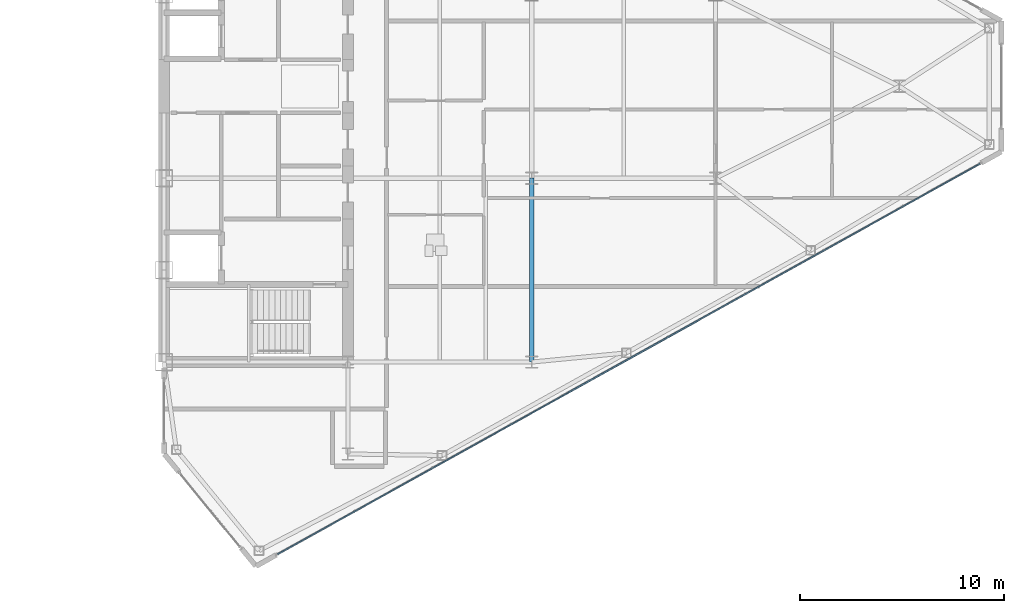
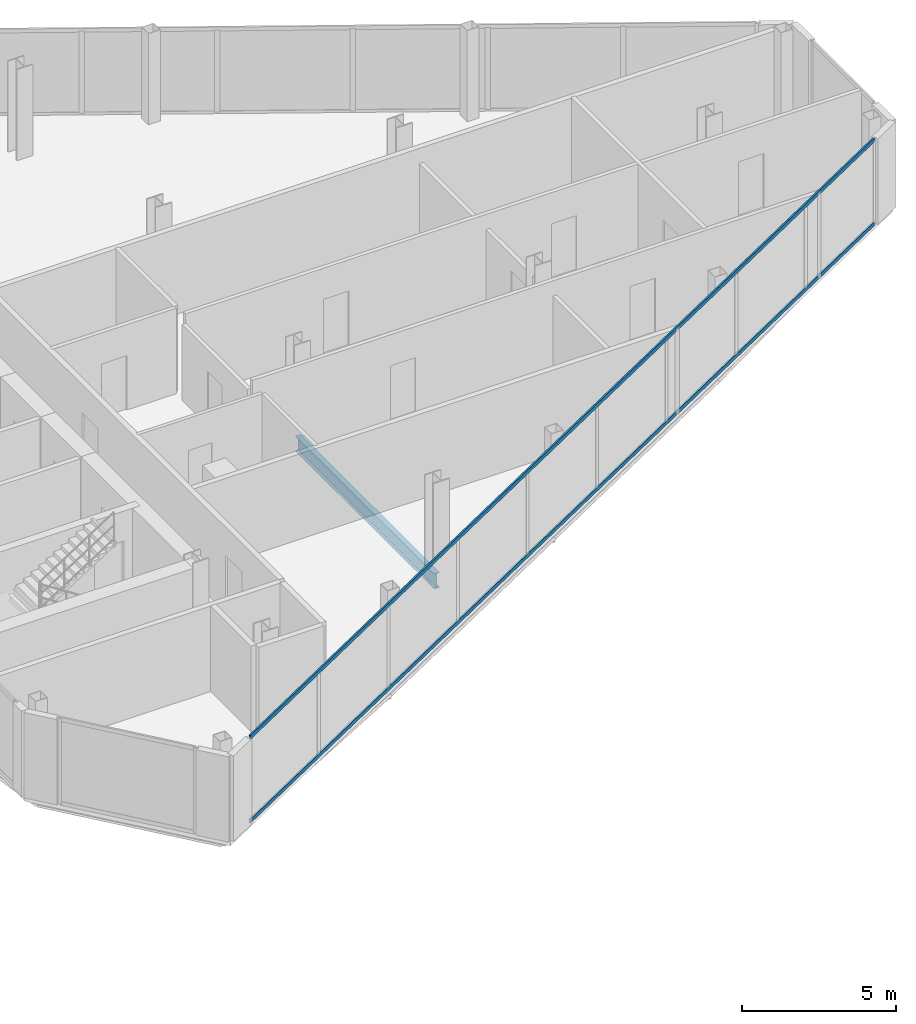
# One storey, part 12 of 26: 2 members, 1 beam, 1 element without a shape of its own.
"""IFC4 building model written with IfcOpenShell, lengths in metres."""

import ifcopenshell
import ifcopenshell.guid

model = None  # the IFC model being written
_history = None  # IfcOwnerHistory: only IFC2X3 demands one
_inside = {}  # id of a spatial element -> (the spatial element, [elements in it])
_under = {}  # id of a project, library or spatial element -> (it, [spatial elements below it])
_declared = {}  # id of a project -> (the project, [libraries it declares])
_typed = {}  # id of a type object -> (the type object, [elements of that type])
_made_of = {}  # id of a material, layer set ... -> (it, [elements and type objects made of it])


def new_model(schema):
    """Start an empty IFC model of exactly this schema.

    Asked for "IFC4X3", IfcOpenShell would pick the latest addendum, in which some entities
    have other attributes; the version numbers below select the first issue.
    IFC2X3 requires an IfcOwnerHistory on every rooted entity: one is made here for all.
    """
    global model, _history
    if schema == "IFC4X3":
        model = ifcopenshell.file(schema_version=(4, 3, 0, 0))
    else:
        model = ifcopenshell.file(schema=schema)
    _inside.clear()
    _under.clear()
    _declared.clear()
    _typed.clear()
    _made_of.clear()
    _history = None
    if model.schema == "IFC2X3":
        org = make("IfcOrganization", Name="unknown")
        user = make(
            "IfcPersonAndOrganization",
            ThePerson=make("IfcPerson", FamilyName="unknown"),
            TheOrganization=org,
        )
        app = make(
            "IfcApplication",
            ApplicationDeveloper=org,
            Version="unknown",
            ApplicationFullName="unknown",
            ApplicationIdentifier="unknown",
        )
        _history = make(
            "IfcOwnerHistory",
            OwningUser=user,
            OwningApplication=app,
            ChangeAction="ADDED",
            CreationDate=0,
        )
    return model


def make(cls, **values):
    """One entity of the class cls with the attributes given. An attribute that is None is left unset."""
    return model.create_entity(
        cls, **{name: value for name, value in values.items() if value is not None}
    )


def rooted(cls, **values):
    """An entity with a GlobalId (a new one), such as an element, a storey or a relation."""
    return make(cls, GlobalId=ifcopenshell.guid.new(), OwnerHistory=_history, **values)


def si_unit(unit_type, name, prefix=None):
    """IfcSIUnit, for example si_unit("LENGTHUNIT", "METRE", prefix="MILLI")."""
    return make("IfcSIUnit", UnitType=unit_type, Prefix=prefix, Name=name)


def assignment(units):
    """IfcUnitAssignment: the units of a project."""
    return None if units is None else make("IfcUnitAssignment", Units=units)


def point(xyz):
    """IfcCartesianPoint."""
    return None if xyz is None else make("IfcCartesianPoint", Coordinates=xyz)


def direction(xyz):
    """IfcDirection."""
    return None if xyz is None else make("IfcDirection", DirectionRatios=xyz)


def frame(location, z_axis=None, x_axis=None):
    """IfcAxis2Placement3D, a coordinate frame: its origin and axes. An axis left out is left unset."""
    return make(
        "IfcAxis2Placement3D",
        Location=point(location),
        Axis=direction(z_axis),
        RefDirection=direction(x_axis),
    )


def frame_2d(location, x_axis=None):
    """IfcAxis2Placement2D, a coordinate frame in the plane: its origin and x axis."""
    return make(
        "IfcAxis2Placement2D", Location=point(location), RefDirection=direction(x_axis)
    )


def origin():
    """The frame at (0, 0, 0) with its axes left unset."""
    return frame((0.0, 0.0, 0.0))


def origin_2d():
    """The frame at (0, 0) in the plane with its x axis left unset."""
    return frame_2d((0.0, 0.0))


def place(relative_to, where):
    """IfcLocalPlacement: puts the frame where relative to a parent placement (None: the world)."""
    return make(
        "IfcLocalPlacement", PlacementRelTo=relative_to, RelativePlacement=where
    )


def context(
    kind, dimensions, precision=None, world=None, true_north=None, identifier=None
):
    """IfcGeometricRepresentationContext, for example the 3D "Model" context."""
    return make(
        "IfcGeometricRepresentationContext",
        ContextIdentifier=identifier,
        ContextType=kind,
        CoordinateSpaceDimension=dimensions,
        Precision=precision,
        WorldCoordinateSystem=world,
        TrueNorth=true_north,
    )


def subcontext(parent, identifier, kind, view, scale=None):
    """IfcGeometricRepresentationSubContext, for example "Body" below "Model"."""
    return make(
        "IfcGeometricRepresentationSubContext",
        ContextIdentifier=identifier,
        ContextType=kind,
        ParentContext=parent,
        TargetScale=scale,
        TargetView=view,
    )


def project(units=None, contexts=None):
    """IfcProject with its units and contexts."""
    return rooted(
        "IfcProject",
        Name="project",
        RepresentationContexts=contexts,
        UnitsInContext=assignment(units),
    )


def spatial(cls, under=None, at=None, **own):
    """A site, building, storey or space (cls), placed at a placement, below another one or the project."""
    s = rooted(cls, ObjectPlacement=at, **own)
    if under is not None:
        _under.setdefault(under.id(), (under, []))[1].append(s)
    return s


def profile(cls, at=None, kind="AREA", **sizes):
    """A parametric profile (cls). Its sizes go by their IFC names, for example OverallWidth=200.0."""
    return make(cls, ProfileType=kind, Position=at, **sizes)


def rectangle(**sizes):
    """IfcRectangleProfileDef."""
    return profile("IfcRectangleProfileDef", **sizes)


def i_section(**sizes):
    """IfcIShapeProfileDef."""
    return profile("IfcIShapeProfileDef", **sizes)


def extrude(swept, where, along, depth):
    """IfcExtrudedAreaSolid: the profile swept, set in the frame where, extruded along a direction by depth."""
    return make(
        "IfcExtrudedAreaSolid",
        SweptArea=swept,
        Position=where,
        ExtrudedDirection=direction(along),
        Depth=depth,
    )


def shape(context_of_items, identifier, shape_type, items):
    """IfcShapeRepresentation: the items that make up one representation, for example the "Body"."""
    return make(
        "IfcShapeRepresentation",
        ContextOfItems=context_of_items,
        RepresentationIdentifier=identifier,
        RepresentationType=shape_type,
        Items=items,
    )


def source(mapping_origin, context_of_items, identifier, shape_type, items):
    """IfcRepresentationMap: a shape defined once, which mapped items show again and again."""
    return make(
        "IfcRepresentationMap",
        MappingOrigin=mapping_origin,
        MappedRepresentation=shape(context_of_items, identifier, shape_type, items),
    )


def transform(
    local_origin,
    x_axis=None,
    y_axis=None,
    z_axis=None,
    scale=None,
    scale2=None,
    scale3=None,
    uniform=True,
):
    """IfcCartesianTransformationOperator3D, or its non-uniform kind. x_axis, y_axis, z_axis: its Axis1, 2, 3."""
    if uniform:
        return make(
            "IfcCartesianTransformationOperator3D",
            Axis1=direction(x_axis),
            Axis2=direction(y_axis),
            LocalOrigin=point(local_origin),
            Scale=scale,
            Axis3=direction(z_axis),
        )
    return make(
        "IfcCartesianTransformationOperator3DnonUniform",
        Axis1=direction(x_axis),
        Axis2=direction(y_axis),
        LocalOrigin=point(local_origin),
        Scale=scale,
        Axis3=direction(z_axis),
        Scale2=scale2,
        Scale3=scale3,
    )


def mapped(mapping_source, mapping_target):
    """IfcMappedItem: shows the shape of a source again, moved by a transform."""
    return make(
        "IfcMappedItem", MappingSource=mapping_source, MappingTarget=mapping_target
    )


def material(Name=None, Category=None):
    """IfcMaterial."""
    return make("IfcMaterial", Name=Name, Category=Category)


def layer(
    of_material, thickness, ventilated=None, Name=None, Category=None, Priority=None
):
    """IfcMaterialLayer: one layer of a wall or slab, of a material (None: an air gap)."""
    return make(
        "IfcMaterialLayer",
        Material=of_material,
        LayerThickness=thickness,
        IsVentilated=ventilated,
        Name=Name,
        Category=Category,
        Priority=Priority,
    )


def layer_set(layers, Name=None):
    """IfcMaterialLayerSet."""
    return make("IfcMaterialLayerSet", MaterialLayers=layers, LayerSetName=Name)


def material_profile(
    of_material, cross_section, Name=None, Category=None, Priority=None
):
    """IfcMaterialProfile: a cross section and its material."""
    return make(
        "IfcMaterialProfile",
        Name=Name,
        Material=of_material,
        Profile=cross_section,
        Priority=Priority,
        Category=Category,
    )


def profile_set(profiles, Name=None, composite=None):
    """IfcMaterialProfileSet."""
    return make(
        "IfcMaterialProfileSet",
        Name=Name,
        MaterialProfiles=profiles,
        CompositeProfile=composite,
    )


def made_of(thing, what):
    """Note that an element or type object is made of a material, layer set ...; save() writes the relation."""
    if what is not None:
        _made_of.setdefault(what.id(), (what, []))[1].append(thing)
    return thing


def type_object(cls, material=None, **own):
    """A type object (cls), such as IfcWallType, which elements share."""
    return made_of(rooted(cls, **own), material)


def type_shapes(of_type, sources):
    """Give a type object the sources (RepresentationMaps) that its elements show as mapped items."""
    of_type.RepresentationMaps = sources


def element(
    cls,
    number,
    at=None,
    inside=None,
    cuts=None,
    type_object=None,
    material=None,
    context=None,
    identifier="Body",
    shape_type=None,
    held_by="IfcProductDefinitionShape",
    body=None,
    shapes=None,
    **own,
):
    """One element of the class cls, such as IfcWall. Its Tag is "e" and its number.

    at: its placement. inside: the storey or other place that contains it. cuts: it is an
    opening in that element (IfcRelVoidsElement). A single representation is given by context,
    identifier, shape_type and body (its items); several are given by shapes. held_by: the class
    of the entity that holds the representations. save() writes the other relations.
    """
    e = rooted(cls, Tag="e%d" % number, ObjectPlacement=at, **own)
    if body is not None:
        shapes = [shape(context, identifier, shape_type, body)]
    if shapes is not None:
        e.Representation = make(held_by, Representations=shapes)
    if inside is not None:
        _inside.setdefault(inside.id(), (inside, []))[1].append(e)
    if cuts is not None:
        rooted(
            "IfcRelVoidsElement", RelatingBuildingElement=cuts, RelatedOpeningElement=e
        )
    if type_object is not None:
        _typed.setdefault(type_object.id(), (type_object, []))[1].append(e)
    return made_of(e, material)


def aggregate(whole, parts):
    """IfcRelAggregates: a whole, such as a stair, and the parts it consists of."""
    return rooted("IfcRelAggregates", RelatingObject=whole, RelatedObjects=parts)


def save(model, path):
    """Write the relations noted so far, then the file.

    IfcRelAggregates (storeys below a building ...), IfcRelContainedInSpatialStructure (elements
    in a storey), IfcRelDefinesByType, IfcRelAssociatesMaterial and IfcRelDeclares: one each for
    every whole, place, type object, material and project.
    """
    for whole, parts in _under.values():
        aggregate(whole, parts)
    for where, things in _inside.values():
        rooted(
            "IfcRelContainedInSpatialStructure",
            RelatedElements=things,
            RelatingStructure=where,
        )
    for kind, things in _typed.values():
        rooted("IfcRelDefinesByType", RelatedObjects=things, RelatingType=kind)
    for what, things in _made_of.values():
        rooted("IfcRelAssociatesMaterial", RelatedObjects=things, RelatingMaterial=what)
    for by, libraries in _declared.values():
        rooted("IfcRelDeclares", RelatingContext=by, RelatedDefinitions=libraries)
    model.write(path)


model = new_model("IFC4")

# Units and contexts
model_context = context("Model", 3, precision=1e-05, world=origin(), true_north=direction((0.0, 1.0)))
body_context = subcontext(model_context, "Body", "Model", "MODEL_VIEW")
ifc_project = project(units=[si_unit("LENGTHUNIT", "METRE"), si_unit("AREAUNIT", "SQUARE_METRE"), si_unit("VOLUMEUNIT", "CUBIC_METRE"), si_unit("PLANEANGLEUNIT", "RADIAN"), si_unit("MASSUNIT", "GRAM", prefix="KILO")], contexts=[model_context])

# Site, building, storey
site_placement = place(None, origin())
site = spatial("IfcSite", under=ifc_project, at=site_placement, CompositionType="ELEMENT")
building_placement = place(site_placement, origin())
building = spatial("IfcBuilding", under=site, at=building_placement, Name="Seokmaru Belvedere", CompositionType="ELEMENT")
storey_placement = place(building_placement, frame((0.0, 0.0, 192.300048828125)))
storey = spatial("IfcBuildingStorey", under=building, at=storey_placement, Name="L51", CompositionType="ELEMENT", Elevation=192.300048828125)

# Beam
ifc_material_1 = material(Name="Steel SM355 (355 MPa)", Category="steel")
ifc_material_profile_1 = material_profile(ifc_material_1, i_section(OverallWidth=0.199951171875, OverallDepth=0.60009765625, WebThickness=0.010986328125, FlangeThickness=0.01708984375, at=origin_2d()), Name="H-600x200x11x17")
ifc_profile_set_1 = profile_set([ifc_material_profile_1], Name="Steel SM355 (355 MPa)")
beam_type = type_object("IfcBeamType", Name="Primary Floor Girder H-600", PredefinedType="BEAM", material=ifc_profile_set_1)
shared_shape_1 = source(origin(), body_context, "Body", "SweptSolid", [
    extrude(i_section(OverallWidth=0.199951171875, OverallDepth=0.60009765625, WebThickness=0.010986328125, FlangeThickness=0.01708984375, at=origin_2d()), origin(), (0.0, 0.0, 1.0), 9.0),
])
type_shapes(beam_type, [shared_shape_1])
beam_placement = place(storey_placement, frame((45.5, -13.5, -0.52001953125), z_axis=(0.0, 1.0, 0.0), x_axis=(-1.0, 0.0, 0.0)))
element("IfcBeam", 1, at=beam_placement, inside=storey, type_object=beam_type, Name="L51 E Interior Grid Girder 1", PredefinedType="BEAM", context=body_context, shape_type="MappedRepresentation", body=[
    mapped(shared_shape_1, transform((0.0, 0.0, 0.0), scale=1.0)),
])

# Curtain wall, members
ifc_material_2 = material(Name="Bronze Triple Insulating Glass", Category="glass")
ifc_layer = layer(ifc_material_2, 0.179931640625)
ifc_layer_set = layer_set([ifc_layer], Name="Bronze Triple Insulating Glass")
curtain_wall_type = type_object("IfcCurtainWallType", Name="High-Rise Wind-Corner Curtain Wall System CW-5", PredefinedType="NOTDEFINED", material=ifc_layer_set)
curtain_wall_placement = place(storey_placement, origin())
curtain_wall = element("IfcCurtainWall", 2, at=curtain_wall_placement, inside=storey, type_object=curtain_wall_type, Name="L51 Curtain Wall EF1", PredefinedType="NOTDEFINED")
ifc_material_3 = material(Name="Anodised Bronze Aluminium", Category="aluminium")
ifc_material_profile_2 = material_profile(ifc_material_3, rectangle(XDim=0.06494140625, YDim=0.14990234375, at=origin_2d()), Name="CW-T-65x150")
ifc_profile_set_2 = profile_set([ifc_material_profile_2], Name="Anodised Bronze Aluminium")
member_type = type_object("IfcMemberType", Name="Bronze Unitised Transom 65x150", PredefinedType="USERDEFINED", material=ifc_profile_set_2)
shared_shape_2 = source(origin(), body_context, "Body", "SweptSolid", [
    extrude(rectangle(XDim=0.06494140625, YDim=0.14990234375, at=origin_2d()), origin(), (0.0, 0.0, 1.0), 39.33544921875),
])
type_shapes(member_type, [shared_shape_2])
member_1_placement = place(storey_placement, frame((33.061767578125, -22.909423828125, 0.032470703125), z_axis=(0.873932045133, 0.486048125693, 0.0), x_axis=(-0.486048125693, 0.873932045133, 0.0)))
member_1 = element("IfcMember", 3, at=member_1_placement, type_object=member_type, Name="CW:L51:EF1 Continuous Transom 1", ObjectType="TRANSOM", PredefinedType="USERDEFINED", context=body_context, shape_type="MappedRepresentation", body=[
    mapped(shared_shape_2, transform((0.0, 0.0, 0.0), scale=1.0)),
])
member_2_placement = place(storey_placement, frame((33.061767578125, -22.909423828125, 3.347412109375), z_axis=(0.873932045133, 0.486048125693, 0.0), x_axis=(-0.486048125693, 0.873932045133, 0.0)))
member_2 = element("IfcMember", 4, at=member_2_placement, type_object=member_type, Name="CW:L51:EF1 Continuous Transom 2", ObjectType="TRANSOM", PredefinedType="USERDEFINED", context=body_context, shape_type="MappedRepresentation", body=[
    mapped(shared_shape_2, transform((0.0, 0.0, 0.0), scale=1.0)),
])
aggregate(curtain_wall, [member_1, member_2])

save(model, "model.ifc")
